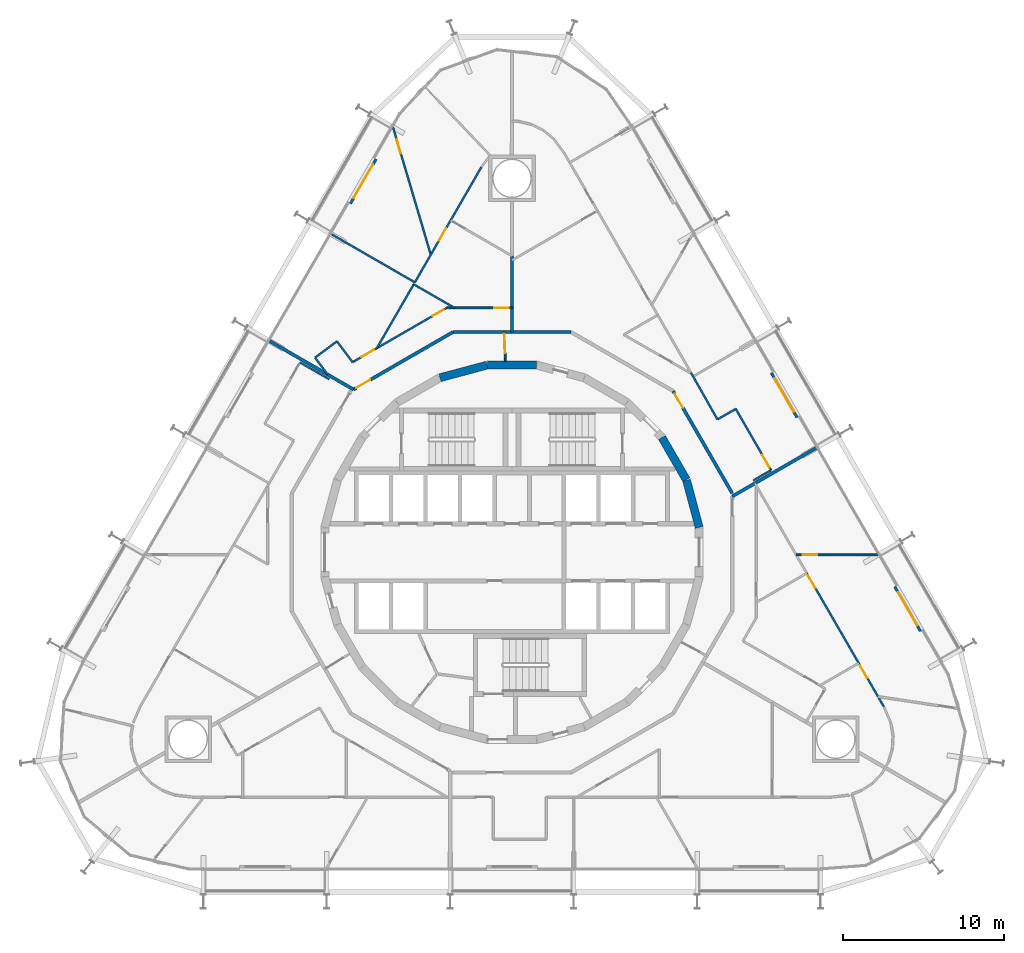
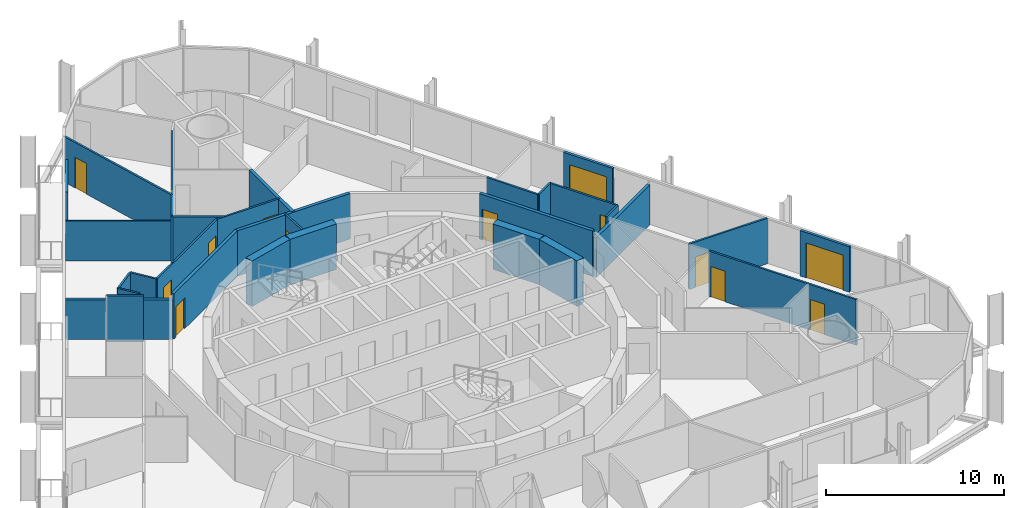
# One storey, part 17 of 20: 31 walls, 15 doors, 15 openings.
"""IFC4 building model written with IfcOpenShell, lengths in metres."""

from ifc_helpers import new_model, si_unit, direction, frame, frame_2d, origin, place, context, subcontext, project, spatial, rectangle, extrude, material, layer, layer_set, type_object, element, fill, save


model = new_model("IFC4")

# Units and contexts
model_context = context("Model", 3, precision=1e-05, world=origin(), true_north=direction((0.0, 1.0)))
body_context = subcontext(model_context, "Body", "Model", "MODEL_VIEW")
ifc_project = project(units=[si_unit("LENGTHUNIT", "METRE"), si_unit("AREAUNIT", "SQUARE_METRE"), si_unit("VOLUMEUNIT", "CUBIC_METRE"), si_unit("PLANEANGLEUNIT", "RADIAN"), si_unit("MASSUNIT", "GRAM", prefix="KILO")], contexts=[model_context])

# Site, building, storey
site_placement = place(None, origin())
site = spatial("IfcSite", under=ifc_project, at=site_placement, CompositionType="ELEMENT")
building_placement = place(site_placement, origin())
building = spatial("IfcBuilding", under=site, at=building_placement, Name="Spindle Arch Residences", CompositionType="ELEMENT")
storey_placement = place(building_placement, frame((0.0, 0.0, 41.89990234375)))
storey = spatial("IfcBuildingStorey", under=building, at=storey_placement, Name="L08", CompositionType="ELEMENT", Elevation=41.89990234375)

# Walls
ifc_material_1 = material(Name="Concrete C50/60", Category="concrete")
ifc_layer_1 = layer(ifc_material_1, 0.5)
ifc_layer_set_1 = layer_set([ifc_layer_1], Name="Core outline wall 500")
wall_type_1 = type_object("IfcWallType", Name="Core outline wall 500", PredefinedType="SHEAR", material=ifc_layer_set_1)
for number, where, z_axis, x_axis, name in (
    (1, (11.642822265625, 1.5498046875, 0.0), (0.0, 0.0, 1.0), (-0.258734743916, 0.965948410781, 0.0), "Core outline wall 7"),
    (2, (10.84521484375, 4.510498046875, 0.0), (0.0, 0.0, 1.0), (-0.500087131594, 0.865975092491, 0.0), "Core outline wall 8"),
    (3, (1.516357421875, 11.647216796875, 0.0), (0.0, 0.0, 1.0), (-1.0, 0.0, 0.0), "Core outline wall 12"),
    (4, (-1.5498046875, 11.642822265625, 0.0), (0.0, 0.0, 1.0), (-0.965948410781, -0.258734743916, 0.0), "Core outline wall 13"),
):
    element("IfcWall", number, at=place(storey_placement, frame(where, z_axis=z_axis, x_axis=x_axis)), inside=storey, type_object=wall_type_1, Name=name, PredefinedType="SHEAR", context=body_context, shape_type="SweptSolid", body=[
        extrude(rectangle(XDim=3.03271484375, YDim=0.5, at=frame_2d((1.516357421875, 0.0))), origin(), (0.0, 0.0, 1.0), 3.1201171875),
    ])

# Wall, opening, door
ifc_material_2 = material(Name="Plasterboard on steel studs", Category="steel")
ifc_layer_2 = layer(ifc_material_2, 0.1201171875)
ifc_layer_set_2 = layer_set([ifc_layer_2], Name="Corridor division wall 120")
wall_type_2 = type_object("IfcWallType", Name="Corridor division wall 120", PredefinedType="PARTITIONING", material=ifc_layer_set_2)
wall_1_placement = place(storey_placement, frame((-0.478515625, 13.699951171875, 0.0), z_axis=(0.0, 0.0, 1.0), x_axis=(0.034919103017, -0.999390142159, 0.0)))
wall_1 = element("IfcWall", 5, at=wall_1_placement, inside=storey, type_object=wall_type_2, Name="Corridor division wall R1A1-W001", PredefinedType="PARTITIONING", context=body_context, shape_type="SweptSolid", body=[
    extrude(rectangle(XDim=1.803955078125, YDim=0.1201171875, at=frame_2d((0.90185546875, 0.0))), origin(), (0.0, 0.0, 1.0), 3.1201171875),
])
opening_1_placement = place(wall_1_placement, frame((0.110107421875, 0.0, 0.0)))
opening_1 = element("IfcOpeningElement", 6, at=opening_1_placement, cuts=wall_1, Name="Opening R1A1-CD01", PredefinedType="OPENING", context=body_context, shape_type="SweptSolid", body=[
    extrude(rectangle(XDim=1.199951171875, YDim=2.10009765625, at=frame_2d((0.60009765625, 1.050048828125))), frame((0.0, 0.070068359375, 0.0), z_axis=(0.0, -1.0, 0.0), x_axis=(1.0, 0.0, 0.0)), (0.0, 0.0, 1.0), 0.14013671875),
])
ifc_material_3 = material(Name="Steel, fire-resisting door", Category="steel")
door_type_1 = type_object("IfcDoorType", Name="Corridor division door 1200x2100", OperationType="NOTDEFINED", PredefinedType="DOOR", material=ifc_material_3)
door_1_placement = place(opening_1_placement, origin())
door_1 = element("IfcDoor", 7, at=door_1_placement, inside=storey, type_object=door_type_1, Name="Corridor division door R1A1-CD01", OperationType="DOUBLE_DOOR_SINGLE_SWING", OverallHeight=2.10009765625, OverallWidth=1.199951171875, PredefinedType="DOOR", context=body_context, shape_type="SweptSolid", body=[
    extrude(rectangle(XDim=1.199951171875, YDim=2.10009765625, at=frame_2d((0.60009765625, 1.050048828125))), frame((0.0, 0.02490234375, 0.0), z_axis=(0.0, -1.0, 0.0), x_axis=(1.0, 0.0, 0.0)), (0.0, 0.0, 1.0), 0.050048828125),
])
fill(opening_1, door_1)

ifc_material_4 = material(Name="Calcium silicate block, plastered")
ifc_layer_3 = layer(ifc_material_4, 0.199951171875)
ifc_layer_set_3 = layer_set([ifc_layer_3], Name="Corridor wall 200")
wall_type_3 = type_object("IfcWallType", Name="Corridor wall 200", PredefinedType="STANDARD", material=ifc_layer_set_3)
wall_2_placement = place(storey_placement, frame((13.699951171875, 3.6708984375, 0.0), z_axis=(0.0, 0.0, 1.0), x_axis=(-0.500001669485, 0.866024439905, 0.0)))
wall_2 = element("IfcWall", 8, at=wall_2_placement, inside=storey, type_object=wall_type_3, Name="Corridor wall R1A1-W004", PredefinedType="STANDARD", context=body_context, shape_type="SweptSolid", body=[
    extrude(rectangle(XDim=7.341796875, YDim=0.199951171875, at=frame_2d((3.6708984375, 0.0))), origin(), (0.0, 0.0, 1.0), 3.1201171875),
])
opening_2_placement = place(wall_2_placement, frame((6.141845703125, 0.0, 0.0)))
opening_2 = element("IfcOpeningElement", 9, at=opening_2_placement, cuts=wall_2, Name="Opening R1A1-FD01", PredefinedType="OPENING", context=body_context, shape_type="SweptSolid", body=[
    extrude(rectangle(XDim=1.0, YDim=2.10009765625, at=frame_2d((0.5, 1.050048828125))), frame((0.0, 0.10986328125, 0.0), z_axis=(0.0, -1.0, 0.0), x_axis=(1.0, 0.0, 0.0)), (0.0, 0.0, 1.0), 0.219970703125),
])
ifc_material_5 = material(Name="Timber, fire-resisting door set", Category="wood")
door_type_2 = type_object("IfcDoorType", Name="Flat entrance door 1000x2100", OperationType="NOTDEFINED", PredefinedType="DOOR", material=ifc_material_5)
door_2_placement = place(opening_2_placement, origin())
door_2 = element("IfcDoor", 10, at=door_2_placement, inside=storey, type_object=door_type_2, Name="Flat entrance door R1A1-FD01", OperationType="SINGLE_SWING_RIGHT", OverallHeight=2.10009765625, OverallWidth=1.0, PredefinedType="DOOR", context=body_context, shape_type="SweptSolid", body=[
    extrude(rectangle(XDim=1.0, YDim=2.10009765625, at=frame_2d((0.5, 1.050048828125))), frame((0.0, 0.02490234375, 0.0), z_axis=(0.0, -1.0, 0.0), x_axis=(1.0, 0.0, 0.0)), (0.0, 0.0, 1.0), 0.050048828125),
])
fill(opening_2, door_2)

# Wall
wall_3_placement = place(storey_placement, frame((3.6708984375, 13.699951171875, 0.0), z_axis=(0.0, 0.0, 1.0), x_axis=(-1.0, 0.0, 0.0)))
element("IfcWall", 11, at=wall_3_placement, inside=storey, type_object=wall_type_3, Name="Corridor wall R1A1-W006", PredefinedType="STANDARD", context=body_context, shape_type="SweptSolid", body=[
    extrude(rectangle(XDim=7.341796875, YDim=0.199951171875, at=frame_2d((3.6708984375, 0.0))), origin(), (0.0, 0.0, 1.0), 3.1201171875),
])

# Wall, opening, door
wall_4_placement = place(storey_placement, frame((-3.6708984375, 13.699951171875, 0.0), z_axis=(0.0, 0.0, 1.0), x_axis=(-0.866031419417, -0.499989580474, 0.0)))
wall_4 = element("IfcWall", 12, at=wall_4_placement, inside=storey, type_object=wall_type_3, Name="Corridor wall R1A1-W009", PredefinedType="STANDARD", context=body_context, shape_type="SweptSolid", body=[
    extrude(rectangle(XDim=7.146728515625, YDim=0.199951171875, at=frame_2d((3.5732421875, 0.0))), origin(), (0.0, 0.0, 1.0), 3.1201171875),
])
opening_3_placement = place(wall_4_placement, frame((5.946533203125, 0.0, 0.0)))
opening_3 = element("IfcOpeningElement", 13, at=opening_3_placement, cuts=wall_4, Name="Opening R1A1-FD02", PredefinedType="OPENING", context=body_context, shape_type="SweptSolid", body=[
    extrude(rectangle(XDim=1.0, YDim=2.10009765625, at=frame_2d((0.5, 1.050048828125))), frame((0.0, 0.10986328125, 0.0), z_axis=(0.0, -1.0, 0.0), x_axis=(1.0, 0.0, 0.0)), (0.0, 0.0, 1.0), 0.219970703125),
])
door_3_placement = place(opening_3_placement, origin())
door_3 = element("IfcDoor", 14, at=door_3_placement, inside=storey, type_object=door_type_2, Name="Flat entrance door R1A1-FD02", OperationType="SINGLE_SWING_LEFT", OverallHeight=2.10009765625, OverallWidth=1.0, PredefinedType="DOOR", context=body_context, shape_type="SweptSolid", body=[
    extrude(rectangle(XDim=1.0, YDim=2.10009765625, at=frame_2d((0.5, 1.050048828125))), frame((0.0, 0.02490234375, 0.0), z_axis=(0.0, -1.0, 0.0), x_axis=(1.0, 0.0, 0.0)), (0.0, 0.0, 1.0), 0.050048828125),
])
fill(opening_3, door_3)

# Wall
ifc_material_6 = material(Name="Plasterboard on steel studs", Category="steel")
ifc_layer_4 = layer(ifc_material_6, 0.1201171875)
ifc_layer_set_4 = layer_set([ifc_layer_4], Name="Flat partition 120")
wall_type_4 = type_object("IfcWallType", Name="Flat partition 120", PredefinedType="PARTITIONING", material=ifc_layer_set_4)
wall_5_placement = place(storey_placement, frame((15.007080078125, 4.466796875, 0.0), z_axis=(0.0, 0.0, 1.0), x_axis=(0.86599869919, 0.500046250861, 0.0)))
element("IfcWall", 15, at=wall_5_placement, inside=storey, type_object=wall_type_4, Name="Flat partition R1A1-W027", PredefinedType="PARTITIONING", context=body_context, shape_type="SweptSolid", body=[
    extrude(rectangle(XDim=1.28369140625, YDim=0.1201171875, at=frame_2d((0.641845703125, 0.0))), origin(), (0.0, 0.0, 1.0), 3.1201171875),
])

# Wall, opening, door
wall_6_placement = place(storey_placement, frame((16.11865234375, 5.108642578125, 0.0), z_axis=(0.0, 0.0, 1.0), x_axis=(-0.499988222896, 0.866032203192, 0.0)))
wall_6 = element("IfcWall", 16, at=wall_6_placement, inside=storey, type_object=wall_type_4, Name="Flat partition R1A1-W028", PredefinedType="PARTITIONING", context=body_context, shape_type="SweptSolid", body=[
    extrude(rectangle(XDim=4.39990234375, YDim=0.1201171875, at=frame_2d((2.199951171875, 0.0))), origin(), (0.0, 0.0, 1.0), 3.1201171875),
])
opening_4_placement = place(wall_6_placement, frame((0.199951171875, 0.0, 0.0)))
opening_4 = element("IfcOpeningElement", 17, at=opening_4_placement, cuts=wall_6, Name="Opening R1A1-ID01", PredefinedType="OPENING", context=body_context, shape_type="SweptSolid", body=[
    extrude(rectangle(XDim=0.89990234375, YDim=2.10009765625, at=frame_2d((0.449951171875, 1.050048828125))), frame((0.0, 0.070068359375, 0.0), z_axis=(0.0, -1.0, 0.0), x_axis=(1.0, 0.0, 0.0)), (0.0, 0.0, 1.0), 0.14013671875),
])
ifc_material_7 = material(Name="Timber door set", Category="wood")
door_type_3 = type_object("IfcDoorType", Name="Room door 900x2100", OperationType="NOTDEFINED", PredefinedType="DOOR", material=ifc_material_7)
door_4_placement = place(opening_4_placement, origin())
door_4 = element("IfcDoor", 18, at=door_4_placement, inside=storey, type_object=door_type_3, Name="Room door R1A1-ID01", OperationType="SINGLE_SWING_LEFT", OverallHeight=2.10009765625, OverallWidth=0.89990234375, PredefinedType="DOOR", context=body_context, shape_type="SweptSolid", body=[
    extrude(rectangle(XDim=0.89990234375, YDim=2.10009765625, at=frame_2d((0.449951171875, 1.050048828125))), frame((0.0, 0.02490234375, 0.0), z_axis=(0.0, -1.0, 0.0), x_axis=(1.0, 0.0, 0.0)), (0.0, 0.0, 1.0), 0.050048828125),
])
fill(opening_4, door_4)

# Walls
wall_7_placement = place(storey_placement, frame((13.918701171875, 8.919189453125, 0.0), z_axis=(0.0, 0.0, 1.0), x_axis=(-0.86599869919, -0.500046250861, 0.0)))
element("IfcWall", 19, at=wall_7_placement, inside=storey, type_object=wall_type_4, Name="Flat partition R1A1-W029", PredefinedType="PARTITIONING", context=body_context, shape_type="SweptSolid", body=[
    extrude(rectangle(XDim=1.28369140625, YDim=0.1201171875, at=frame_2d((0.641845703125, 0.0))), origin(), (0.0, 0.0, 1.0), 3.1201171875),
])
wall_8_placement = place(storey_placement, frame((12.78125, 8.26220703125, 0.0), z_axis=(0.0, 0.0, 1.0), x_axis=(-0.492233259633, 0.870463335305, 0.0)))
element("IfcWall", 20, at=wall_8_placement, inside=storey, type_object=wall_type_4, Name="Flat partition R1A1-W030", PredefinedType="PARTITIONING", context=body_context, shape_type="SweptSolid", body=[
    extrude(rectangle(XDim=3.33642578125, YDim=0.1201171875, at=frame_2d((1.668212890625, 0.0))), origin(), (0.0, 0.0, 1.0), 3.1201171875),
])

# Wall, opening, door
wall_9_placement = place(storey_placement, frame((0.0, 15.199951171875, 0.0), z_axis=(0.0, 0.0, 1.0), x_axis=(-1.0, 0.0, 0.0)))
wall_9 = element("IfcWall", 21, at=wall_9_placement, inside=storey, type_object=wall_type_4, Name="Flat partition R1A1-W043", PredefinedType="PARTITIONING", context=body_context, shape_type="SweptSolid", body=[
    extrude(rectangle(XDim=4.07275390625, YDim=0.1201171875, at=frame_2d((2.036376953125, 0.0))), origin(), (0.0, 0.0, 1.0), 3.1201171875),
])
opening_5_placement = place(wall_9_placement, frame((0.199951171875, 0.0, 0.0)))
opening_5 = element("IfcOpeningElement", 22, at=opening_5_placement, cuts=wall_9, Name="Opening R1A1-ID07", PredefinedType="OPENING", context=body_context, shape_type="SweptSolid", body=[
    extrude(rectangle(XDim=0.89990234375, YDim=2.10009765625, at=frame_2d((0.449951171875, 1.050048828125))), frame((0.0, 0.070068359375, 0.0), z_axis=(0.0, -1.0, 0.0), x_axis=(1.0, 0.0, 0.0)), (0.0, 0.0, 1.0), 0.14013671875),
])
door_5_placement = place(opening_5_placement, origin())
door_5 = element("IfcDoor", 23, at=door_5_placement, inside=storey, type_object=door_type_3, Name="Room door R1A1-ID07", OperationType="SINGLE_SWING_RIGHT", OverallHeight=2.10009765625, OverallWidth=0.89990234375, PredefinedType="DOOR", context=body_context, shape_type="SweptSolid", body=[
    extrude(rectangle(XDim=0.89990234375, YDim=2.10009765625, at=frame_2d((0.449951171875, 1.050048828125))), frame((0.0, 0.02490234375, 0.0), z_axis=(0.0, -1.0, 0.0), x_axis=(1.0, 0.0, 0.0)), (0.0, 0.0, 1.0), 0.050048828125),
])
fill(opening_5, door_5)

# Wall, openings, doors
wall_10_placement = place(storey_placement, frame((-4.07275390625, 15.199951171875, 0.0), z_axis=(0.0, 0.0, 1.0), x_axis=(-0.866024802457, -0.500001041529, 0.0)))
wall_10 = element("IfcWall", 24, at=wall_10_placement, inside=storey, type_object=wall_type_4, Name="Flat partition R1A1-W044", PredefinedType="PARTITIONING", context=body_context, shape_type="SweptSolid", body=[
    extrude(rectangle(XDim=6.75146484375, YDim=0.1201171875, at=frame_2d((3.375732421875, 0.0))), origin(), (0.0, 0.0, 1.0), 3.1201171875),
])
opening_6_placement = place(wall_10_placement, frame((0.199951171875, 0.0, 0.0)))
opening_6 = element("IfcOpeningElement", 25, at=opening_6_placement, cuts=wall_10, Name="Opening R1A1-BD02", PredefinedType="OPENING", context=body_context, shape_type="SweptSolid", body=[
    extrude(rectangle(XDim=0.800048828125, YDim=2.10009765625, at=frame_2d((0.39990234375, 1.050048828125))), frame((0.0, 0.070068359375, 0.0), z_axis=(0.0, -1.0, 0.0), x_axis=(1.0, 0.0, 0.0)), (0.0, 0.0, 1.0), 0.14013671875),
])
opening_7_placement = place(wall_10_placement, frame((5.20556640625, 0.0, 0.0)))
opening_7 = element("IfcOpeningElement", 26, at=opening_7_placement, cuts=wall_10, Name="Opening R1A1-ID08", PredefinedType="OPENING", context=body_context, shape_type="SweptSolid", body=[
    extrude(rectangle(XDim=0.89990234375, YDim=2.10009765625, at=frame_2d((0.449951171875, 1.050048828125))), frame((0.0, 0.070068359375, 0.0), z_axis=(0.0, -1.0, 0.0), x_axis=(1.0, 0.0, 0.0)), (0.0, 0.0, 1.0), 0.14013671875),
])
ifc_material_8 = material(Name="Timber door set", Category="wood")
door_type_4 = type_object("IfcDoorType", Name="Bathroom door 800x2100", OperationType="NOTDEFINED", PredefinedType="DOOR", material=ifc_material_8)
door_6_placement = place(opening_6_placement, origin())
door_6 = element("IfcDoor", 27, at=door_6_placement, inside=storey, type_object=door_type_4, Name="Bathroom door R1A1-BD02", OperationType="SINGLE_SWING_LEFT", OverallHeight=2.10009765625, OverallWidth=0.800048828125, PredefinedType="DOOR", context=body_context, shape_type="SweptSolid", body=[
    extrude(rectangle(XDim=0.800048828125, YDim=2.10009765625, at=frame_2d((0.39990234375, 1.050048828125))), frame((0.0, 0.02490234375, 0.0), z_axis=(0.0, -1.0, 0.0), x_axis=(1.0, 0.0, 0.0)), (0.0, 0.0, 1.0), 0.050048828125),
])
fill(opening_6, door_6)
door_7_placement = place(opening_7_placement, origin())
door_7 = element("IfcDoor", 28, at=door_7_placement, inside=storey, type_object=door_type_3, Name="Room door R1A1-ID08", OperationType="SINGLE_SWING_LEFT", OverallHeight=2.10009765625, OverallWidth=0.89990234375, PredefinedType="DOOR", context=body_context, shape_type="SweptSolid", body=[
    extrude(rectangle(XDim=0.89990234375, YDim=2.10009765625, at=frame_2d((0.449951171875, 1.050048828125))), frame((0.0, 0.02490234375, 0.0), z_axis=(0.0, -1.0, 0.0), x_axis=(1.0, 0.0, 0.0)), (0.0, 0.0, 1.0), 0.050048828125),
])
fill(opening_7, door_7)

# Walls
wall_11_placement = place(storey_placement, frame((-9.919677734375, 11.82421875, 0.0), z_axis=(0.0, 0.0, 1.0), x_axis=(-0.597853402964, 0.801605456921, 0.0)))
element("IfcWall", 29, at=wall_11_placement, inside=storey, type_object=wall_type_4, Name="Flat partition R1A1-W045", PredefinedType="PARTITIONING", context=body_context, shape_type="SweptSolid", body=[
    extrude(rectangle(XDim=1.62109375, YDim=0.1201171875, at=frame_2d((0.810546875, 0.0))), origin(), (0.0, 0.0, 1.0), 3.1201171875),
])
wall_12_placement = place(storey_placement, frame((-10.888916015625, 13.123779296875, 0.0), z_axis=(0.0, 0.0, 1.0), x_axis=(-0.801616976804, -0.597837956724, 0.0)))
element("IfcWall", 30, at=wall_12_placement, inside=storey, type_object=wall_type_4, Name="Flat partition R1A1-W046", PredefinedType="PARTITIONING", context=body_context, shape_type="SweptSolid", body=[
    extrude(rectangle(XDim=1.699951171875, YDim=0.1201171875, at=frame_2d((0.85009765625, 0.0))), origin(), (0.0, 0.0, 1.0), 3.1201171875),
])
wall_13_placement = place(storey_placement, frame((-12.251708984375, 12.107421875, 0.0), z_axis=(0.0, 0.0, 1.0), x_axis=(0.597827926538, -0.801624457119, 0.0)))
element("IfcWall", 31, at=wall_13_placement, inside=storey, type_object=wall_type_4, Name="Flat partition R1A1-W047", PredefinedType="PARTITIONING", context=body_context, shape_type="SweptSolid", body=[
    extrude(rectangle(XDim=1.314208984375, YDim=0.1201171875, at=frame_2d((0.6572265625, 0.0))), origin(), (0.0, 0.0, 1.0), 3.1201171875),
])

# Wall, opening, door
wall_14_placement = place(storey_placement, frame((-1.90673828125, 23.957275390625, 0.0), z_axis=(0.0, 0.0, 1.0), x_axis=(-0.499994901178, -0.866028347571, 0.0)))
wall_14 = element("IfcWall", 32, at=wall_14_placement, inside=storey, type_object=wall_type_4, Name="Flat partition R1A1-W051", PredefinedType="PARTITIONING", context=body_context, shape_type="SweptSolid", body=[
    extrude(rectangle(XDim=8.27392578125, YDim=0.1201171875, at=frame_2d((4.136962890625, 0.0))), origin(), (0.0, 0.0, 1.0), 3.1201171875),
])
opening_8_placement = place(wall_14_placement, frame((4.387451171875, 0.0, 0.0)))
opening_8 = element("IfcOpeningElement", 33, at=opening_8_placement, cuts=wall_14, Name="Opening R1A1-ID09", PredefinedType="OPENING", context=body_context, shape_type="SweptSolid", body=[
    extrude(rectangle(XDim=0.89990234375, YDim=2.10009765625, at=frame_2d((0.449951171875, 1.050048828125))), frame((0.0, 0.070068359375, 0.0), z_axis=(0.0, -1.0, 0.0), x_axis=(1.0, 0.0, 0.0)), (0.0, 0.0, 1.0), 0.14013671875),
])
door_8_placement = place(opening_8_placement, origin())
door_8 = element("IfcDoor", 34, at=door_8_placement, inside=storey, type_object=door_type_3, Name="Room door R1A1-ID09", OperationType="SINGLE_SWING_LEFT", OverallHeight=2.10009765625, OverallWidth=0.89990234375, PredefinedType="DOOR", context=body_context, shape_type="SweptSolid", body=[
    extrude(rectangle(XDim=0.89990234375, YDim=2.10009765625, at=frame_2d((0.449951171875, 1.050048828125))), frame((0.0, 0.02490234375, 0.0), z_axis=(0.0, -1.0, 0.0), x_axis=(1.0, 0.0, 0.0)), (0.0, 0.0, 1.0), 0.050048828125),
])
fill(opening_8, door_8)

# Wall
wall_15_placement = place(storey_placement, frame((-6.114013671875, 16.669921875, 0.0), z_axis=(0.0, 0.0, 1.0), x_axis=(0.866011328839, -0.500024377727, 0.0)))
element("IfcWall", 35, at=wall_15_placement, inside=storey, type_object=wall_type_4, Name="Flat partition R1A1-W052", PredefinedType="PARTITIONING", context=body_context, shape_type="SweptSolid", body=[
    extrude(rectangle(XDim=2.939697265625, YDim=0.1201171875, at=frame_2d((1.4697265625, 0.0))), origin(), (0.0, 0.0, 1.0), 3.1201171875),
])

# Wall, opening, door
wall_16_placement = place(storey_placement, frame((-7.39990234375, 26.44287109375, 0.0), z_axis=(0.0, 0.0, 1.0), x_axis=(0.283777867447, -0.95889004685, 0.0)))
wall_16 = element("IfcWall", 36, at=wall_16_placement, inside=storey, type_object=wall_type_4, Name="Flat partition R1A1-W053", PredefinedType="PARTITIONING", context=body_context, shape_type="SweptSolid", body=[
    extrude(rectangle(XDim=8.273681640625, YDim=0.1201171875, at=frame_2d((4.13671875, 0.0))), origin(), (0.0, 0.0, 1.0), 3.1201171875),
])
opening_9_placement = place(wall_16_placement, frame((0.800048828125, 0.0, 0.0)))
opening_9 = element("IfcOpeningElement", 37, at=opening_9_placement, cuts=wall_16, Name="Opening R1A1-ID11", PredefinedType="OPENING", context=body_context, shape_type="SweptSolid", body=[
    extrude(rectangle(XDim=0.89990234375, YDim=2.10009765625, at=frame_2d((0.449951171875, 1.050048828125))), frame((0.0, 0.070068359375, 0.0), z_axis=(0.0, -1.0, 0.0), x_axis=(1.0, 0.0, 0.0)), (0.0, 0.0, 1.0), 0.14013671875),
])
door_9_placement = place(opening_9_placement, origin())
door_9 = element("IfcDoor", 38, at=door_9_placement, inside=storey, type_object=door_type_3, Name="Room door R1A1-ID11", OperationType="SINGLE_SWING_RIGHT", OverallHeight=2.10009765625, OverallWidth=0.89990234375, PredefinedType="DOOR", context=body_context, shape_type="SweptSolid", body=[
    extrude(rectangle(XDim=0.89990234375, YDim=2.10009765625, at=frame_2d((0.449951171875, 1.050048828125))), frame((0.0, 0.02490234375, 0.0), z_axis=(0.0, -1.0, 0.0), x_axis=(1.0, 0.0, 0.0)), (0.0, 0.0, 1.0), 0.050048828125),
])
fill(opening_9, door_9)

# Walls
wall_17_placement = place(storey_placement, frame((-6.093994140625, 16.70458984375, 0.0), z_axis=(0.0, 0.0, 1.0), x_axis=(-0.500014747178, -0.86601688933, 0.0)))
element("IfcWall", 39, at=wall_17_placement, inside=storey, type_object=wall_type_4, Name="Flat partition R1A1-W055", PredefinedType="PARTITIONING", context=body_context, shape_type="SweptSolid", body=[
    extrude(rectangle(XDim=4.627197265625, YDim=0.1201171875, at=frame_2d((2.3134765625, 0.0))), origin(), (0.0, 0.0, 1.0), 3.1201171875),
])
wall_18_placement = place(storey_placement, frame((-11.371826171875, 10.76318359375, 0.0), z_axis=(0.0, 0.0, 1.0), x_axis=(-0.866041603473, 0.499971940267, 0.0)))
element("IfcWall", 40, at=wall_18_placement, inside=storey, type_object=wall_type_4, Name="Flat partition R1A1-W056", PredefinedType="PARTITIONING", context=body_context, shape_type="SweptSolid", body=[
    extrude(rectangle(XDim=2.08935546875, YDim=0.1201171875, at=frame_2d((1.044677734375, 0.0))), origin(), (0.0, 0.0, 1.0), 3.1201171875),
])

# Wall, opening, door
wall_19_placement = place(storey_placement, frame((17.679443359375, -0.161865234375, 0.0), z_axis=(0.0, 0.0, 1.0), x_axis=(1.0, 0.0, 0.0)))
wall_19 = element("IfcWall", 41, at=wall_19_placement, inside=storey, type_object=wall_type_4, Name="Flat partition R1A1-W105", PredefinedType="PARTITIONING", context=body_context, shape_type="SweptSolid", body=[
    extrude(rectangle(XDim=5.08056640625, YDim=0.1201171875, at=frame_2d((2.540283203125, 0.0))), origin(), (0.0, 0.0, 1.0), 3.1201171875),
])
opening_10_placement = place(wall_19_placement, frame((0.39990234375, 0.0, 0.0)))
opening_10 = element("IfcOpeningElement", 42, at=opening_10_placement, cuts=wall_19, Name="Opening R1A1-ID33", PredefinedType="OPENING", context=body_context, shape_type="SweptSolid", body=[
    extrude(rectangle(XDim=0.89990234375, YDim=2.10009765625, at=frame_2d((0.449951171875, 1.050048828125))), frame((0.0, 0.070068359375, 0.0), z_axis=(0.0, -1.0, 0.0), x_axis=(1.0, 0.0, 0.0)), (0.0, 0.0, 1.0), 0.14013671875),
])
door_10_placement = place(opening_10_placement, origin())
door_10 = element("IfcDoor", 43, at=door_10_placement, inside=storey, type_object=door_type_3, Name="Room door R1A1-ID33", OperationType="SINGLE_SWING_LEFT", OverallHeight=2.10009765625, OverallWidth=0.89990234375, PredefinedType="DOOR", context=body_context, shape_type="SweptSolid", body=[
    extrude(rectangle(XDim=0.89990234375, YDim=2.10009765625, at=frame_2d((0.449951171875, 1.050048828125))), frame((0.0, 0.02490234375, 0.0), z_axis=(0.0, -1.0, 0.0), x_axis=(1.0, 0.0, 0.0)), (0.0, 0.0, 1.0), 0.050048828125),
])
fill(opening_10, door_10)

# Wall, openings, doors
wall_20_placement = place(storey_placement, frame((18.338623046875, -1.303466796875, 0.0), z_axis=(0.0, 0.0, 1.0), x_axis=(0.499989127021, -0.866031681211, 0.0)))
wall_20 = element("IfcWall", 44, at=wall_20_placement, inside=storey, type_object=wall_type_4, Name="Flat partition R1A1-W107", PredefinedType="PARTITIONING", context=body_context, shape_type="SweptSolid", body=[
    extrude(rectangle(XDim=9.589111328125, YDim=0.1201171875, at=frame_2d((4.79443359375, 0.0))), origin(), (0.0, 0.0, 1.0), 3.1201171875),
])
opening_11_placement = place(wall_20_placement, frame((0.159912109375, 0.0, 0.0)))
opening_11 = element("IfcOpeningElement", 45, at=opening_11_placement, cuts=wall_20, Name="Opening R1A1-ID32", PredefinedType="OPENING", context=body_context, shape_type="SweptSolid", body=[
    extrude(rectangle(XDim=0.89990234375, YDim=2.10009765625, at=frame_2d((0.449951171875, 1.050048828125))), frame((0.0, 0.070068359375, 0.0), z_axis=(0.0, -1.0, 0.0), x_axis=(1.0, 0.0, 0.0)), (0.0, 0.0, 1.0), 0.14013671875),
])
opening_12_placement = place(wall_20_placement, frame((6.6181640625, 0.0, 0.0)))
opening_12 = element("IfcOpeningElement", 46, at=opening_12_placement, cuts=wall_20, Name="Opening R1A1-ID35", PredefinedType="OPENING", context=body_context, shape_type="SweptSolid", body=[
    extrude(rectangle(XDim=0.89990234375, YDim=2.10009765625, at=frame_2d((0.449951171875, 1.050048828125))), frame((0.0, 0.070068359375, 0.0), z_axis=(0.0, -1.0, 0.0), x_axis=(1.0, 0.0, 0.0)), (0.0, 0.0, 1.0), 0.14013671875),
])
door_11_placement = place(opening_11_placement, origin())
door_11 = element("IfcDoor", 47, at=door_11_placement, inside=storey, type_object=door_type_3, Name="Room door R1A1-ID32", OperationType="SINGLE_SWING_LEFT", OverallHeight=2.10009765625, OverallWidth=0.89990234375, PredefinedType="DOOR", context=body_context, shape_type="SweptSolid", body=[
    extrude(rectangle(XDim=0.89990234375, YDim=2.10009765625, at=frame_2d((0.449951171875, 1.050048828125))), frame((0.0, 0.02490234375, 0.0), z_axis=(0.0, -1.0, 0.0), x_axis=(1.0, 0.0, 0.0)), (0.0, 0.0, 1.0), 0.050048828125),
])
fill(opening_11, door_11)
door_12_placement = place(opening_12_placement, origin())
door_12 = element("IfcDoor", 48, at=door_12_placement, inside=storey, type_object=door_type_3, Name="Room door R1A1-ID35", OperationType="SINGLE_SWING_RIGHT", OverallHeight=2.10009765625, OverallWidth=0.89990234375, PredefinedType="DOOR", context=body_context, shape_type="SweptSolid", body=[
    extrude(rectangle(XDim=0.89990234375, YDim=2.10009765625, at=frame_2d((0.449951171875, 1.050048828125))), frame((0.0, 0.02490234375, 0.0), z_axis=(0.0, -1.0, 0.0), x_axis=(1.0, 0.0, 0.0)), (0.0, 0.0, 1.0), 0.050048828125),
])
fill(opening_12, door_12)

# Walls
ifc_material_9 = material(Name="Plasterboard on steel studs", Category="steel")
ifc_layer_5 = layer(ifc_material_9, 0.1201171875)
ifc_layer_set_5 = layer_set([ifc_layer_5], Name="Flat partition 120 under beam 2730")
wall_type_5 = type_object("IfcWallType", Name="Flat partition 120 under beam 2730", PredefinedType="PARTITIONING", material=ifc_layer_set_5)
wall_21_placement = place(storey_placement, frame((-11.239990234375, 19.791748046875, 0.0), z_axis=(0.0, 0.0, 1.0), x_axis=(0.866031096941, -0.499990139034, 0.0)))
element("IfcWall", 49, at=wall_21_placement, inside=storey, type_object=wall_type_5, Name="Flat partition R1A1-W054", PredefinedType="PARTITIONING", context=body_context, shape_type="SweptSolid", body=[
    extrude(rectangle(XDim=6.0, YDim=0.1201171875, at=frame_2d((3.0, 0.0))), origin(), (0.0, 0.0, 1.0), 2.72998046875),
])
ifc_material_10 = material(Name="Calcium silicate block, plastered")
ifc_layer_6 = layer(ifc_material_10, 0.199951171875)
ifc_layer_set_6 = layer_set([ifc_layer_6], Name="Flat party wall 200")
wall_type_6 = type_object("IfcWallType", Name="Flat party wall 200", PredefinedType="STANDARD", material=ifc_layer_set_6)
wall_22_placement = place(storey_placement, frame((0.0, 18.436767578125, 0.0), z_axis=(0.0, 0.0, 1.0), x_axis=(0.0, -1.0, 0.0)))
element("IfcWall", 50, at=wall_22_placement, inside=storey, type_object=wall_type_6, Name="Flat party wall R1A1-W017", PredefinedType="STANDARD", context=body_context, shape_type="SweptSolid", body=[
    extrude(rectangle(XDim=4.73681640625, YDim=0.199951171875, at=frame_2d((2.368408203125, 0.0))), origin(), (0.0, 0.0, 1.0), 3.1201171875),
])
ifc_material_11 = material(Name="Calcium silicate block, plastered")
ifc_layer_7 = layer(ifc_material_11, 0.199951171875)
ifc_layer_set_7 = layer_set([ifc_layer_7], Name="Flat party wall 200 under beam 2730")
wall_type_7 = type_object("IfcWallType", Name="Flat party wall 200 under beam 2730", PredefinedType="STANDARD", material=ifc_layer_set_7)
wall_23_placement = place(storey_placement, frame((13.699951171875, 3.4755859375, 0.0), z_axis=(0.0, 0.0, 1.0), x_axis=(0.866013584312, 0.500020471368, 0.0)))
element("IfcWall", 51, at=wall_23_placement, inside=storey, type_object=wall_type_7, Name="Flat party wall R1A1-W018", PredefinedType="STANDARD", context=body_context, shape_type="SweptSolid", body=[
    extrude(rectangle(XDim=6.027587890625, YDim=0.199951171875, at=frame_2d((3.013671875, 0.0))), origin(), (0.0, 0.0, 1.0), 2.72998046875),
])
wall_24_placement = place(storey_placement, frame((-15.080078125, 13.140380859375, 0.0), z_axis=(0.0, 0.0, 1.0), x_axis=(0.86603112331, -0.49999009336, 0.0)))
element("IfcWall", 52, at=wall_24_placement, inside=storey, type_object=wall_type_7, Name="Flat party wall R1A1-W021", PredefinedType="STANDARD", context=body_context, shape_type="SweptSolid", body=[
    extrude(rectangle(XDim=6.02734375, YDim=0.199951171875, at=frame_2d((3.013671875, 0.0))), origin(), (0.0, 0.0, 1.0), 2.72998046875),
])

# Wall, opening, door
ifc_material_12 = material(Name="Non-combustible mineral wool insulated aluminium faced external wall (K0)", Category="aluminium")
ifc_layer_8 = layer(ifc_material_12, 0.159912109375)
ifc_layer_set_8 = layer_set([ifc_layer_8], Name="Insulated external wall panel 160")
wall_type_8 = type_object("IfcWallType", Name="Insulated external wall panel 160", PredefinedType="STANDARD", material=ifc_layer_set_8)
wall_25_placement = place(storey_placement, frame((25.410888671875, -4.912841796875, 0.0), z_axis=(0.0, 0.0, 1.0), x_axis=(-0.500028443584, 0.866008981251, 0.0)))
wall_25 = element("IfcWall", 53, at=wall_25_placement, inside=storey, type_object=wall_type_8, Name="External wall L08 bay 6", PredefinedType="STANDARD", context=body_context, shape_type="SweptSolid", body=[
    extrude(rectangle(XDim=3.199951171875, YDim=0.159912109375, at=frame_2d((1.60009765625, 0.0))), origin(), (0.0, 0.0, 1.0), 3.1201171875),
])
opening_13_placement = place(wall_25_placement, frame((0.39990234375, 0.0, 0.0)))
opening_13 = element("IfcOpeningElement", 54, at=opening_13_placement, cuts=wall_25, Name="Opening BD06", PredefinedType="OPENING", context=body_context, shape_type="SweptSolid", body=[
    extrude(rectangle(XDim=2.39990234375, YDim=2.39990234375, at=frame_2d((1.199951171875, 1.199951171875))), frame((0.0, 0.08984375, 0.0), z_axis=(0.0, -1.0, 0.0), x_axis=(1.0, 0.0, 0.0)), (0.0, 0.0, 1.0), 0.179931640625),
])
ifc_material_13 = material(Name="Bronze aluminium frame, tinted double glazing", Category="aluminium")
door_type_5 = type_object("IfcDoorType", Name="Sliding glazed balcony door 2400x2400", OperationType="DOUBLE_DOOR_SLIDING", PredefinedType="DOOR", material=ifc_material_13)
door_13_placement = place(opening_13_placement, origin())
door_13 = element("IfcDoor", 55, at=door_13_placement, inside=storey, type_object=door_type_5, Name="Balcony door BD06", OperationType="DOUBLE_DOOR_SLIDING", OverallHeight=2.39990234375, OverallWidth=2.39990234375, PredefinedType="DOOR", context=body_context, shape_type="SweptSolid", body=[
    extrude(rectangle(XDim=2.39990234375, YDim=2.39990234375, at=frame_2d((1.199951171875, 1.199951171875))), frame((0.0, 0.02490234375, 0.0), z_axis=(0.0, -1.0, 0.0), x_axis=(1.0, 0.0, 0.0)), (0.0, 0.0, 1.0), 0.050048828125),
])
fill(opening_13, door_13)

wall_26_placement = place(storey_placement, frame((17.730712890625, 8.389404296875, 0.0), z_axis=(0.0, 0.0, 1.0), x_axis=(-0.500028443584, 0.866008981251, 0.0)))
wall_26 = element("IfcWall", 56, at=wall_26_placement, inside=storey, type_object=wall_type_8, Name="External wall L08 bay 8", PredefinedType="STANDARD", context=body_context, shape_type="SweptSolid", body=[
    extrude(rectangle(XDim=3.199951171875, YDim=0.159912109375, at=frame_2d((1.60009765625, 0.0))), origin(), (0.0, 0.0, 1.0), 3.1201171875),
])
opening_14_placement = place(wall_26_placement, frame((0.39990234375, 0.0, 0.0)))
opening_14 = element("IfcOpeningElement", 57, at=opening_14_placement, cuts=wall_26, Name="Opening BD08", PredefinedType="OPENING", context=body_context, shape_type="SweptSolid", body=[
    extrude(rectangle(XDim=2.39990234375, YDim=2.39990234375, at=frame_2d((1.199951171875, 1.199951171875))), frame((0.0, 0.08984375, 0.0), z_axis=(0.0, -1.0, 0.0), x_axis=(1.0, 0.0, 0.0)), (0.0, 0.0, 1.0), 0.179931640625),
])
door_14_placement = place(opening_14_placement, origin())
door_14 = element("IfcDoor", 58, at=door_14_placement, inside=storey, type_object=door_type_5, Name="Balcony door BD08", OperationType="DOUBLE_DOOR_SLIDING", OverallHeight=2.39990234375, OverallWidth=2.39990234375, PredefinedType="DOOR", context=body_context, shape_type="SweptSolid", body=[
    extrude(rectangle(XDim=2.39990234375, YDim=2.39990234375, at=frame_2d((1.199951171875, 1.199951171875))), frame((0.0, 0.02490234375, 0.0), z_axis=(0.0, -1.0, 0.0), x_axis=(1.0, 0.0, 0.0)), (0.0, 0.0, 1.0), 0.050048828125),
])
fill(opening_14, door_14)

wall_27_placement = place(storey_placement, frame((-8.45068359375, 24.462890625, 0.0), z_axis=(0.0, 0.0, 1.0), x_axis=(-0.499971222258, -0.866042017984, 0.0)))
wall_27 = element("IfcWall", 59, at=wall_27_placement, inside=storey, type_object=wall_type_8, Name="External wall L08 bay 14", PredefinedType="STANDARD", context=body_context, shape_type="SweptSolid", body=[
    extrude(rectangle(XDim=3.199951171875, YDim=0.159912109375, at=frame_2d((1.60009765625, 0.0))), origin(), (0.0, 0.0, 1.0), 3.1201171875),
])
opening_15_placement = place(wall_27_placement, frame((0.39990234375, 0.0, 0.0)))
opening_15 = element("IfcOpeningElement", 60, at=opening_15_placement, cuts=wall_27, Name="Opening BD14", PredefinedType="OPENING", context=body_context, shape_type="SweptSolid", body=[
    extrude(rectangle(XDim=2.39990234375, YDim=2.39990234375, at=frame_2d((1.199951171875, 1.199951171875))), frame((0.0, 0.08984375, 0.0), z_axis=(0.0, -1.0, 0.0), x_axis=(1.0, 0.0, 0.0)), (0.0, 0.0, 1.0), 0.179931640625),
])
door_15_placement = place(opening_15_placement, origin())
door_15 = element("IfcDoor", 61, at=door_15_placement, inside=storey, type_object=door_type_5, Name="Balcony door BD14", OperationType="DOUBLE_DOOR_SLIDING", OverallHeight=2.39990234375, OverallWidth=2.39990234375, PredefinedType="DOOR", context=body_context, shape_type="SweptSolid", body=[
    extrude(rectangle(XDim=2.39990234375, YDim=2.39990234375, at=frame_2d((1.199951171875, 1.199951171875))), frame((0.0, 0.02490234375, 0.0), z_axis=(0.0, -1.0, 0.0), x_axis=(1.0, 0.0, 0.0)), (0.0, 0.0, 1.0), 0.050048828125),
])
fill(opening_15, door_15)

save(model, "model.ifc")
